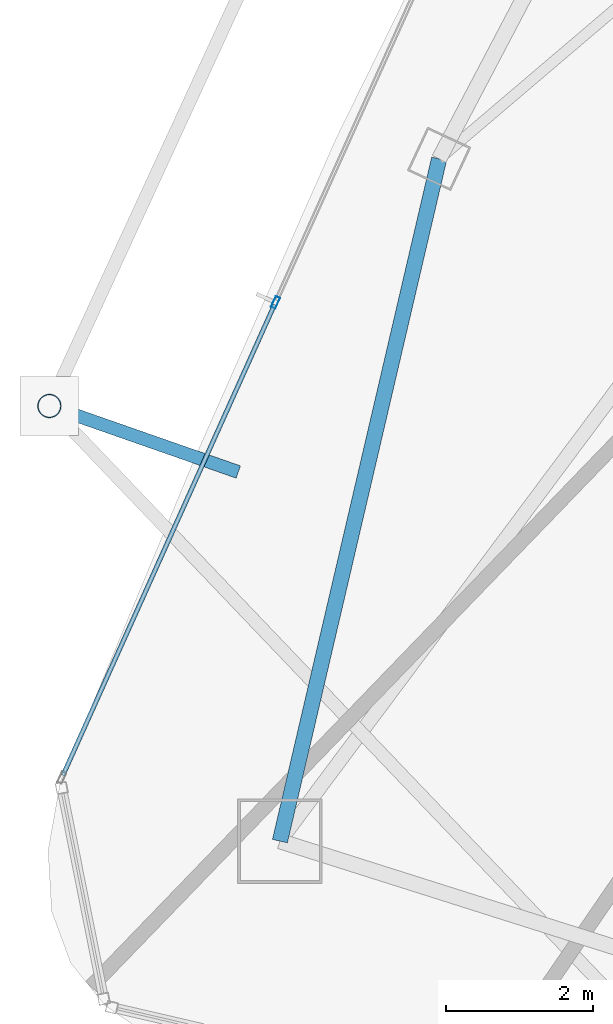
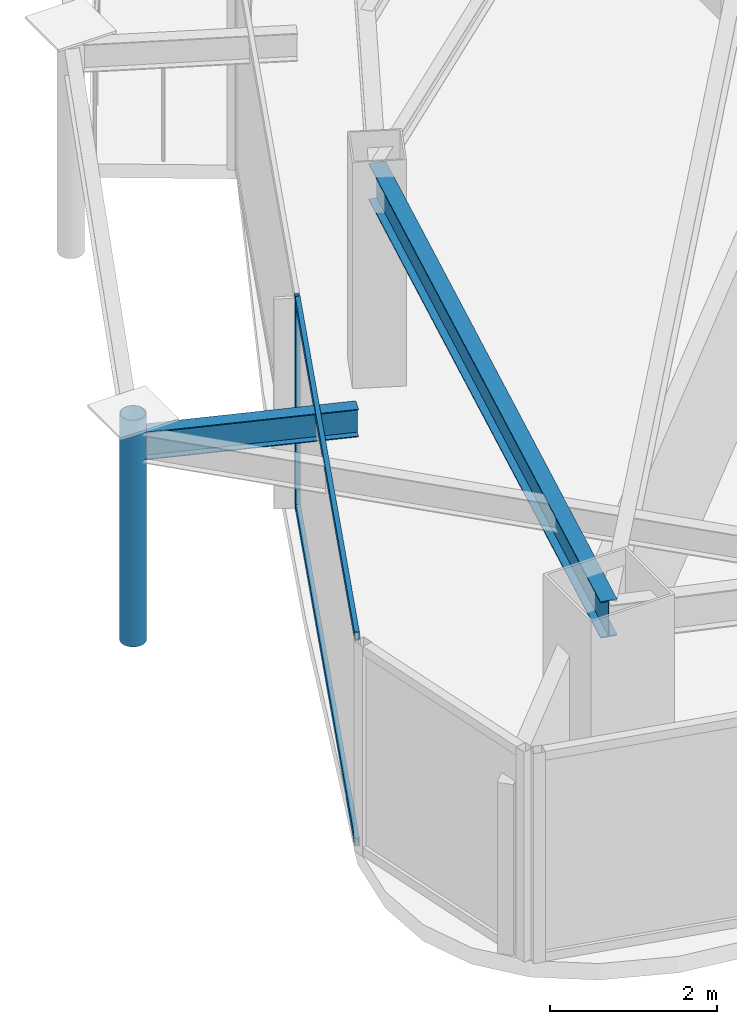
# One storey, part 5 of 28: 4 members, 2 beams, 1 element without a shape of its own.
"""IFC4 building model written with IfcOpenShell, lengths in metres."""

from ifc_helpers import new_model, si_unit, direction, frame, origin, origin_2d, place, context, subcontext, project, spatial, hollow_rectangle, hollow_circle, i_section, extrude, material, layer, layer_set, material_profile, profile_set, type_object, element, aggregate, save


model = new_model("IFC4")

# Units and contexts
model_context = context("Model", 3, precision=1e-05, world=origin(), true_north=direction((0.0, 1.0)))
body_context = subcontext(model_context, "Body", "Model", "MODEL_VIEW")
ifc_project = project(units=[si_unit("LENGTHUNIT", "METRE"), si_unit("AREAUNIT", "SQUARE_METRE"), si_unit("VOLUMEUNIT", "CUBIC_METRE"), si_unit("PLANEANGLEUNIT", "RADIAN"), si_unit("MASSUNIT", "GRAM", prefix="KILO")], contexts=[model_context])

# Site, building, storey
site_placement = place(None, origin())
site = spatial("IfcSite", under=ifc_project, at=site_placement, CompositionType="ELEMENT")
building_placement = place(site_placement, origin())
building = spatial("IfcBuilding", under=site, at=building_placement, Name="Orvanel Arch Residences", CompositionType="ELEMENT")
storey_placement = place(building_placement, frame((0.0, 0.0, 266.75)))
storey = spatial("IfcBuildingStorey", under=building, at=storey_placement, Name="L76", CompositionType="ELEMENT", Elevation=266.75)

# Curtain wall, member
ifc_material_1 = material(Name="Bronze-anodised aluminium AA6063-T6", Category="aluminium")
ifc_layer = layer(ifc_material_1, 0.175048828125)
ifc_layer_set = layer_set([ifc_layer], Name="Bronze-anodised aluminium AA6063-T6")
curtain_wall_type = type_object("IfcCurtainWallType", Name="CW4-HI-SYS", PredefinedType="NOTDEFINED", material=ifc_layer_set)
curtain_wall_placement = place(storey_placement, origin())
curtain_wall = element("IfcCurtainWall", 1, at=curtain_wall_placement, inside=storey, type_object=curtain_wall_type, Name="L76 CW4-HI-SYS Unitised Curtain Wall", PredefinedType="NOTDEFINED")
ifc_material_profile_1 = material_profile(ifc_material_1, hollow_rectangle(XDim=0.06494140625, YDim=0.159912109375, WallThickness=0.00390625, at=origin_2d()), Name="ALU160x65x4")
ifc_profile_set_1 = profile_set([ifc_material_profile_1], Name="Bronze-anodised aluminium AA6063-T6")
member_type_1 = type_object("IfcMemberType", Name="MUL-160x65", PredefinedType="MULLION", material=ifc_profile_set_1)
member_1_placement = place(storey_placement, frame((14.138916015625, 17.68701171875, 0.0), z_axis=(0.0, 0.0, 1.0), x_axis=(0.912050087349, -0.410078819456, 0.0)))
member_1 = element("IfcMember", 2, at=member_1_placement, type_object=member_type_1, Name="CW-S4 mullion 2", PredefinedType="MULLION", context=body_context, shape_type="SweptSolid", body=[
    extrude(hollow_rectangle(XDim=0.06494140625, YDim=0.159912109375, WallThickness=0.00390625, at=origin_2d()), origin(), (0.0, 0.0, 1.0), 3.06005859375),
])

# Beams
ifc_material_2 = material(Name="Structural steel AS/NZS 3679.1 Grade 300 (300 MPa)", Category="steel")
ifc_material_profile_2 = material_profile(ifc_material_2, i_section(OverallWidth=0.177978515625, OverallDepth=0.406005859375, WebThickness=0.0078125, FlangeThickness=0.0126953125, at=origin_2d()), Name="410UB59.7")
ifc_profile_set_2 = profile_set([ifc_material_profile_2], Name="Structural steel AS/NZS 3679.1 Grade 300 (300 MPa)")
beam_type_1 = type_object("IfcBeamType", Name="OB-410UB-EXT", PredefinedType="SPANDREL", material=ifc_profile_set_2)
beam_1_placement = place(storey_placement, frame((13.632080078125, 15.3779296875, 2.85693359375), z_axis=(-0.944016049816, 0.32989952666, 0.0), x_axis=(-0.32989952666, -0.944016049816, 0.0)))
element("IfcBeam", 3, at=beam_1_placement, inside=storey, type_object=beam_type_1, Name="L76 Outer Frame Radial Tie Beam 04", PredefinedType="SPANDREL", context=body_context, shape_type="SweptSolid", body=[
    extrude(i_section(OverallWidth=0.177978515625, OverallDepth=0.406005859375, WebThickness=0.0078125, FlangeThickness=0.0126953125, at=origin_2d()), origin(), (0.0, 0.0, 1.0), 2.7255859375),
])
ifc_material_profile_3 = material_profile(ifc_material_2, i_section(OverallWidth=0.208984375, OverallDepth=0.532958984375, WebThickness=0.01025390625, FlangeThickness=0.015625, at=origin_2d()), Name="530UB92.4")
ifc_profile_set_3 = profile_set([ifc_material_profile_3], Name="Structural steel AS/NZS 3679.1 Grade 300 (300 MPa)")
beam_type_2 = type_object("IfcBeamType", Name="SP-530UB", PredefinedType="SPANDREL", material=ifc_profile_set_3)
beam_2_placement = place(storey_placement, frame((16.366943359375, 19.64208984375, 2.79296875), z_axis=(-0.227236087167, -0.973839699688, 0.0), x_axis=(0.973839699688, -0.227236087167, 0.0)))
element("IfcBeam", 4, at=beam_2_placement, inside=storey, type_object=beam_type_2, Name="L76 Perimeter Spandrel Beam 01", PredefinedType="SPANDREL", context=body_context, shape_type="SweptSolid", body=[
    extrude(i_section(OverallWidth=0.208984375, OverallDepth=0.532958984375, WebThickness=0.01025390625, FlangeThickness=0.015625, at=origin_2d()), origin(), (0.0, 0.0, 1.0), 9.54052734375),
])

# Member
ifc_material_3 = material(Name="Structural steel AS/NZS 1163 C350L0 (Grade 350)", Category="steel")
ifc_material_profile_4 = material_profile(ifc_material_3, hollow_circle(Radius=0.162109375, WallThickness=0.0126953125, at=origin_2d()), Name="CHS324x12.7")
ifc_profile_set_4 = profile_set([ifc_material_profile_4], Name="Structural steel AS/NZS 1163 C350L0 (Grade 350)")
member_type_2 = type_object("IfcMemberType", Name="ST-324CHS-EXT", PredefinedType="STRUT", material=ifc_profile_set_4)
member_2_placement = place(storey_placement, frame((11.05908203125, 16.277099609375, 0.0), z_axis=(0.0, 0.0, 1.0), x_axis=(1.0, 0.0, 0.0)))
element("IfcMember", 5, at=member_2_placement, inside=storey, type_object=member_type_2, Name="L76 Outer Perimeter Frame Post 04", PredefinedType="STRUT", context=body_context, shape_type="SweptSolid", body=[
    extrude(hollow_circle(Radius=0.162109375, WallThickness=0.0126953125, at=origin_2d()), origin(), (0.0, 0.0, 1.0), 3.300048828125),
])

ifc_material_profile_5 = material_profile(ifc_material_1, hollow_rectangle(XDim=0.06005859375, YDim=0.1201171875, WallThickness=0.00341796875, at=origin_2d()), Name="ALU120x60x3.5")
ifc_profile_set_5 = profile_set([ifc_material_profile_5], Name="Bronze-anodised aluminium AA6063-T6")
member_type_3 = type_object("IfcMemberType", Name="TRN-120x60", PredefinedType="USERDEFINED", material=ifc_profile_set_5)
member_3_placement = place(storey_placement, frame((14.125732421875, 17.657470703125, 0.030029296875), z_axis=(-0.410081649898, -0.912048814712, 0.0), x_axis=(0.912048814712, -0.410081649898, 0.0)))
member_3 = element("IfcMember", 6, at=member_3_placement, type_object=member_type_3, Name="CW-S4 transom 2.1", ObjectType="TRANSOM", PredefinedType="USERDEFINED", context=body_context, shape_type="SweptSolid", body=[
    extrude(hollow_rectangle(XDim=0.06005859375, YDim=0.1201171875, WallThickness=0.00341796875, at=origin_2d()), origin(), (0.0, 0.0, 1.0), 7.030517578125),
])

member_4_placement = place(storey_placement, frame((14.125732421875, 17.657470703125, 3.030029296875), z_axis=(-0.410081649898, -0.912048814712, 0.0), x_axis=(0.912048814712, -0.410081649898, 0.0)))
member_4 = element("IfcMember", 7, at=member_4_placement, type_object=member_type_3, Name="CW-S4 transom 2.2", ObjectType="TRANSOM", PredefinedType="USERDEFINED", context=body_context, shape_type="SweptSolid", body=[
    extrude(hollow_rectangle(XDim=0.06005859375, YDim=0.1201171875, WallThickness=0.00341796875, at=origin_2d()), origin(), (0.0, 0.0, 1.0), 7.030517578125),
])

aggregate(curtain_wall, [member_1, member_3, member_4])

save(model, "model.ifc")
